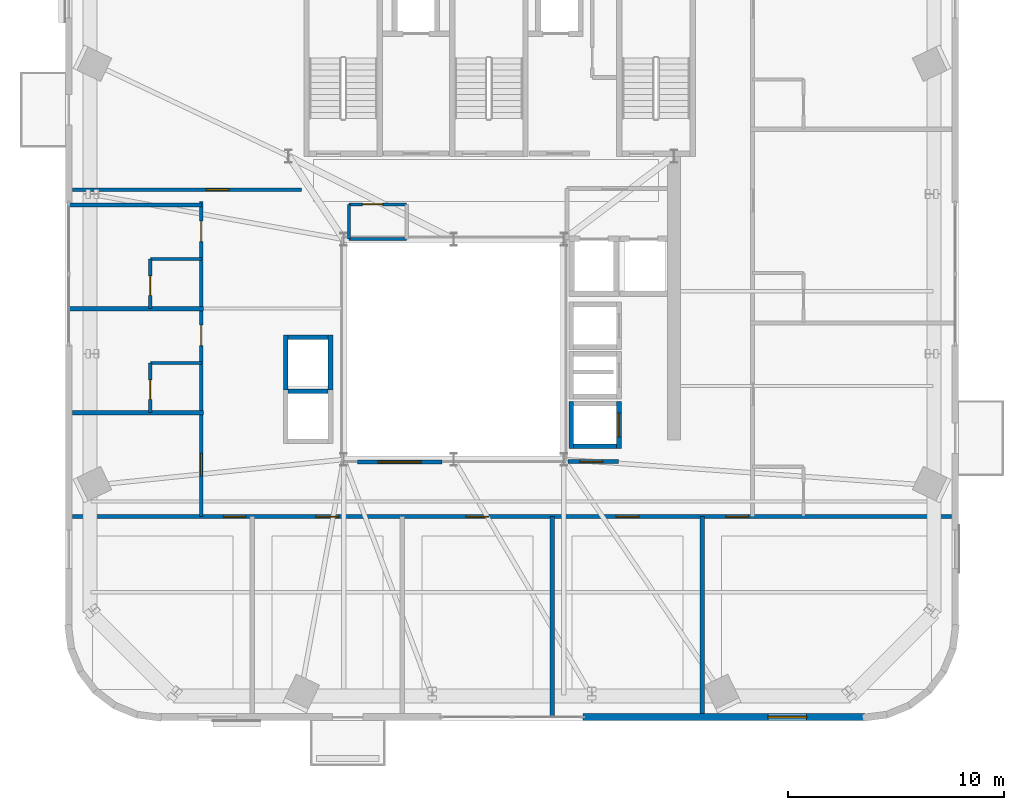
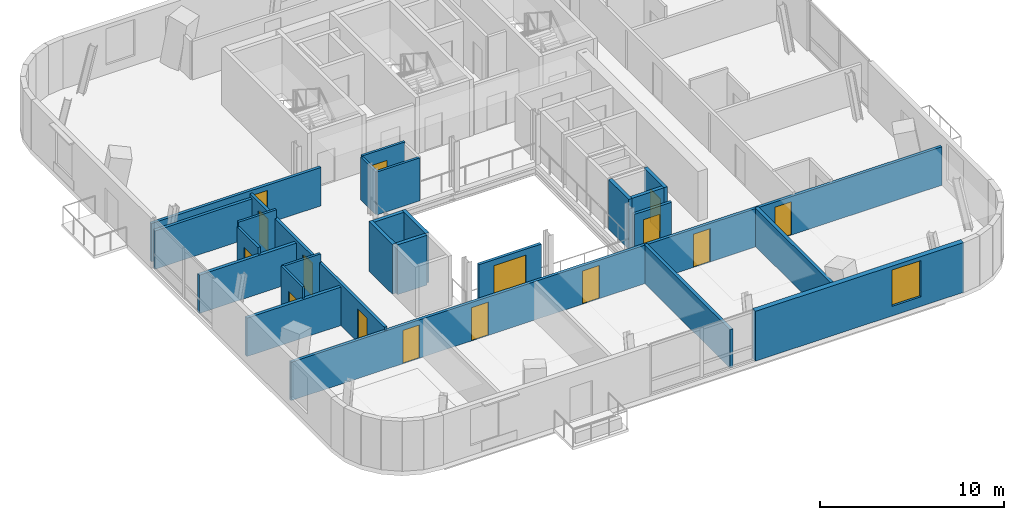
# One storey, part 6 of 13: 25 walls, 14 doors, 2 windows, 16 openings.
"""IFC4 building model written with IfcOpenShell, lengths in metres."""

from ifc_helpers import new_model, si_unit, direction, frame, frame_2d, origin, place, context, subcontext, project, spatial, rectangle, extrude, source, transform, mapped, material, layer, layer_set, type_object, element, fill, save


model = new_model("IFC4")

# Units and contexts
model_context = context("Model", 3, precision=1e-05, world=origin(), true_north=direction((0.0, 1.0)))
body_context = subcontext(model_context, "Body", "Model", "MODEL_VIEW")
ifc_project = project(units=[si_unit("LENGTHUNIT", "METRE"), si_unit("AREAUNIT", "SQUARE_METRE"), si_unit("VOLUMEUNIT", "CUBIC_METRE"), si_unit("PLANEANGLEUNIT", "RADIAN"), si_unit("MASSUNIT", "GRAM", prefix="KILO")], contexts=[model_context])

# Site, building, storey
site_placement = place(None, origin())
site = spatial("IfcSite", under=ifc_project, at=site_placement, CompositionType="ELEMENT")
building_placement = place(site_placement, origin())
building = spatial("IfcBuilding", under=site, at=building_placement, Name="Vardaveli Station Tower", CompositionType="ELEMENT")
storey_placement = place(building_placement, frame((0.0, 0.0, 274.300048828125)))
storey = spatial("IfcBuildingStorey", under=building, at=storey_placement, Name="L70", CompositionType="ELEMENT", Elevation=274.300048828125)

# Wall, opening, window
ifc_material_1 = material(Name="Precast concrete C45/55", Category="concrete")
ifc_layer_1 = layer(ifc_material_1, 0.320068359375, Name="Precast concrete C45/55")
ifc_layer_set_1 = layer_set([ifc_layer_1], Name="Precast concrete C45/55")
wall_type_1 = type_object("IfcWallType", Name="WAL-EXT-STONE-320", PredefinedType="SOLIDWALL", material=ifc_layer_set_1)
shared_shape_1 = source(origin(), body_context, "Body", "SweptSolid", [
    extrude(rectangle(XDim=13.052978515625, YDim=0.320068359375, at=frame_2d((6.5263671875, 0.0))), origin(), (0.0, 0.0, 1.0), 3.300048828125),
])
wall_1_placement = place(storey_placement, frame((42.300048828125, 4.659912109375, 0.0), z_axis=(0.0, 0.0, 1.0), x_axis=(1.0, 0.0, 0.0)))
wall_1 = element("IfcWall", 1, at=wall_1_placement, inside=storey, type_object=wall_type_1, Name="EW-L70-S2", PredefinedType="SOLIDWALL", context=body_context, shape_type="MappedRepresentation", body=[
    mapped(shared_shape_1, transform((0.0, 0.0, 0.0), scale=1.0)),
])
shared_shape_2 = source(origin(), body_context, "Body", "SweptSolid", [
    extrude(rectangle(XDim=1.800048828125, YDim=2.39990234375, at=frame_2d((0.89990234375, 1.199951171875))), frame((0.0, 0.169921875, 0.0), z_axis=(0.0, -1.0, 0.0), x_axis=(1.0, 0.0, 0.0)), (0.0, 0.0, 1.0), 0.340087890625),
])
opening_1_placement = place(wall_1_placement, frame((8.557373046875, 0.0, 0.639892578125)))
opening_1 = element("IfcOpeningElement", 2, at=opening_1_placement, cuts=wall_1, Name="Opening W-05", PredefinedType="OPENING", context=body_context, shape_type="MappedRepresentation", body=[
    mapped(shared_shape_2, transform((0.0, 0.0, 0.0), scale=1.0)),
])
ifc_material_2 = material(Name="Low-E solar-control glass", Category="glass")
window_type_1 = type_object("IfcWindowType", Name="WIN-HIGH-1800x2400", PartitioningType="SINGLE_PANEL", PredefinedType="WINDOW", material=ifc_material_2)
shared_shape_3 = source(origin(), body_context, "Body", "SweptSolid", [
    extrude(rectangle(XDim=1.800048828125, YDim=2.39990234375, at=frame_2d((0.89990234375, 1.199951171875))), frame((0.0, 0.030029296875, 0.0), z_axis=(0.0, -1.0, 0.0), x_axis=(1.0, 0.0, 0.0)), (0.0, 0.0, 1.0), 0.06005859375),
])
window_1_placement = place(opening_1_placement, origin())
window_1 = element("IfcWindow", 3, at=window_1_placement, inside=storey, type_object=window_type_1, Name="WN-L70-S2", OverallHeight=2.39990234375, OverallWidth=1.800048828125, PartitioningType="SINGLE_PANEL", PredefinedType="WINDOW", context=body_context, shape_type="MappedRepresentation", body=[
    mapped(shared_shape_3, transform((0.0, 0.0, 0.0), scale=1.0)),
])
fill(opening_1, window_1)

# Walls
ifc_material_3 = material(Name="Concrete C40/50", Category="concrete")
ifc_layer_2 = layer(ifc_material_3, 0.219970703125, Name="Concrete C40/50")
ifc_layer_set_2 = layer_set([ifc_layer_2], Name="Concrete C40/50")
wall_type_2 = type_object("IfcWallType", Name="WAL-FFLOBBY-220", PredefinedType="SOLIDWALL", material=ifc_layer_set_2)
shared_shape_4 = source(origin(), body_context, "Body", "SweptSolid", [
    extrude(rectangle(XDim=2.0, YDim=0.219970703125, at=frame_2d((1.0, 0.0))), origin(), (0.0, 0.0, 1.0), 3.300048828125),
])
wall_2_placement = place(storey_placement, frame((41.85009765625, 17.215087890625, 0.0), z_axis=(0.0, 0.0, 1.0), x_axis=(1.0, 0.0, 0.0)))
element("IfcWall", 4, at=wall_2_placement, inside=storey, type_object=wall_type_2, Name="SHW-HL3-03-L70-S", PredefinedType="SOLIDWALL", context=body_context, shape_type="MappedRepresentation", body=[
    mapped(shared_shape_4, transform((0.0, 0.0, 0.0), scale=1.0)),
])
shared_shape_5 = source(origin(), body_context, "Body", "SweptSolid", [
    extrude(rectangle(XDim=2.18994140625, YDim=0.219970703125, at=frame_2d((1.094970703125, 0.0))), origin(), (0.0, 0.0, 1.0), 3.300048828125),
])
wall_3_placement = place(storey_placement, frame((41.739990234375, 17.10498046875, 0.0), z_axis=(0.0, 0.0, 1.0), x_axis=(0.0, 1.0, 0.0)))
element("IfcWall", 5, at=wall_3_placement, inside=storey, type_object=wall_type_2, Name="SHW-HL3-03-L70-W", PredefinedType="SOLIDWALL", context=body_context, shape_type="MappedRepresentation", body=[
    mapped(shared_shape_5, transform((0.0, 0.0, 0.0), scale=1.0)),
])

# Wall, opening, door
wall_4_placement = place(storey_placement, frame((43.9599609375, 17.10498046875, 0.0), z_axis=(0.0, 0.0, 1.0), x_axis=(0.0, 1.0, 0.0)))
wall_4 = element("IfcWall", 6, at=wall_4_placement, inside=storey, type_object=wall_type_2, Name="SHW-HL3-03-L70-E", PredefinedType="SOLIDWALL", context=body_context, shape_type="MappedRepresentation", body=[
    mapped(shared_shape_5, transform((0.0, 0.0, 0.0), scale=1.0)),
])
shared_shape_6 = source(origin(), body_context, "Body", "SweptSolid", [
    extrude(rectangle(XDim=1.10009765625, YDim=2.199951171875, at=frame_2d((0.550048828125, 1.10009765625))), frame((0.0, 0.1201171875, 0.0), z_axis=(0.0, -1.0, 0.0), x_axis=(1.0, 0.0, 0.0)), (0.0, 0.0, 1.0), 0.239990234375),
])
opening_2_placement = place(wall_4_placement, frame((0.544921875, 0.0, 0.0)))
opening_2 = element("IfcOpeningElement", 7, at=opening_2_placement, cuts=wall_4, Name="Opening LD-01", PredefinedType="OPENING", context=body_context, shape_type="MappedRepresentation", body=[
    mapped(shared_shape_6, transform((0.0, 0.0, 0.0), scale=1.0)),
])
ifc_material_4 = material(Name="Brushed stainless steel", Category="steel")
door_type_1 = type_object("IfcDoorType", Name="DR-LD-1100x2200", OperationType="DOUBLE_DOOR_SLIDING", PredefinedType="DOOR", material=ifc_material_4)
shared_shape_7 = source(origin(), body_context, "Body", "SweptSolid", [
    extrude(rectangle(XDim=1.10009765625, YDim=2.199951171875, at=frame_2d((0.550048828125, 1.10009765625))), frame((0.0, 0.02490234375, 0.0), z_axis=(0.0, -1.0, 0.0), x_axis=(1.0, 0.0, 0.0)), (0.0, 0.0, 1.0), 0.050048828125),
])
door_1_placement = place(opening_2_placement, origin())
door_1 = element("IfcDoor", 8, at=door_1_placement, inside=storey, type_object=door_type_1, Name="LD-HL3-03-L70", OperationType="DOUBLE_DOOR_SLIDING", OverallHeight=2.199951171875, OverallWidth=1.10009765625, PredefinedType="DOOR", context=body_context, shape_type="MappedRepresentation", body=[
    mapped(shared_shape_7, transform((0.0, 0.0, 0.0), scale=1.0)),
])
fill(opening_2, door_1)

# Walls
shared_shape_8 = source(origin(), body_context, "Body", "SweptSolid", [
    extrude(rectangle(XDim=1.85009765625, YDim=0.219970703125, at=frame_2d((0.925048828125, 0.0))), origin(), (0.0, 0.0, 1.0), 3.300048828125),
])
for number, where, z_axis, x_axis, name in (
    (9, (28.625, 19.760009765625, 0.0), (0.0, 0.0, 1.0), (1.0, 0.0, 0.0), "SHW-OBS-01-L70-N"),
    (10, (28.625, 22.260009765625, 0.0), (0.0, 0.0, 1.0), (1.0, 0.0, 0.0), "SHW-OBS-02-L70-N"),
):
    element("IfcWall", number, at=place(storey_placement, frame(where, z_axis=z_axis, x_axis=x_axis)), inside=storey, type_object=wall_type_2, Name=name, PredefinedType="SOLIDWALL", context=body_context, shape_type="MappedRepresentation", body=[
        mapped(shared_shape_8, transform((0.0, 0.0, 0.0), scale=1.0)),
    ])
shared_shape_9 = source(origin(), body_context, "Body", "SweptSolid", [
    extrude(rectangle(XDim=2.5400390625, YDim=0.219970703125, at=frame_2d((1.27001953125, 0.0))), origin(), (0.0, 0.0, 1.0), 3.300048828125),
])
for number, where, z_axis, x_axis, name in (
    (11, (28.514892578125, 19.830078125, 0.0), (0.0, 0.0, 1.0), (0.0, 1.0, 0.0), "SHW-OBS-02-L70-W"),
    (12, (30.5849609375, 19.830078125, 0.0), (0.0, 0.0, 1.0), (0.0, 1.0, 0.0), "SHW-OBS-02-L70-E"),
):
    element("IfcWall", number, at=place(storey_placement, frame(where, z_axis=z_axis, x_axis=x_axis)), inside=storey, type_object=wall_type_2, Name=name, PredefinedType="SOLIDWALL", context=body_context, shape_type="MappedRepresentation", body=[
        mapped(shared_shape_9, transform((0.0, 0.0, 0.0), scale=1.0)),
    ])

# Wall, openings, doors
ifc_material_5 = material(Name="Fire-rated gypsum stud partition")
ifc_layer_3 = layer(ifc_material_5, 0.179931640625, Name="Fire-rated gypsum stud partition")
ifc_layer_set_3 = layer_set([ifc_layer_3], Name="Fire-rated gypsum stud partition")
wall_type_3 = type_object("IfcWallType", Name="WAL-CORR-180", PredefinedType="PARTITIONING", material=ifc_layer_set_3)
shared_shape_10 = source(origin(), body_context, "Body", "SweptSolid", [
    extrude(rectangle(XDim=40.755859375, YDim=0.179931640625, at=frame_2d((20.3779296875, 0.0))), origin(), (0.0, 0.0, 1.0), 2.5419921875),
])
wall_5_placement = place(storey_placement, frame((18.6220703125, 13.949951171875, 0.0), z_axis=(0.0, 0.0, 1.0), x_axis=(1.0, 0.0, 0.0)))
wall_5 = element("IfcWall", 13, at=wall_5_placement, inside=storey, type_object=wall_type_3, Name="W-L70-CS", PredefinedType="PARTITIONING", context=body_context, shape_type="MappedRepresentation", body=[
    mapped(shared_shape_10, transform((0.0, 0.0, 0.0), scale=1.0)),
])
shared_shape_11 = source(origin(), body_context, "Body", "SweptSolid", [
    extrude(rectangle(XDim=1.050048828125, YDim=2.199951171875, at=frame_2d((0.52490234375, 1.10009765625))), frame((0.0, 0.10009765625, 0.0), z_axis=(0.0, -1.0, 0.0), x_axis=(1.0, 0.0, 0.0)), (0.0, 0.0, 1.0), 0.199951171875),
])
opening_3_placement = place(wall_5_placement, frame((6.998046875, 0.0, 0.0)))
opening_3 = element("IfcOpeningElement", 14, at=opening_3_placement, cuts=wall_5, Name="Opening D-05", PredefinedType="OPENING", context=body_context, shape_type="MappedRepresentation", body=[
    mapped(shared_shape_11, transform((0.0, 0.0, 0.0), scale=1.0)),
])
opening_4_placement = place(wall_5_placement, frame((11.302978515625, 0.0, 0.0)))
opening_4 = element("IfcOpeningElement", 15, at=opening_4_placement, cuts=wall_5, Name="Opening D-05", PredefinedType="OPENING", context=body_context, shape_type="MappedRepresentation", body=[
    mapped(shared_shape_11, transform((0.0, 0.0, 0.0), scale=1.0)),
])
opening_5_placement = place(wall_5_placement, frame((18.2529296875, 0.0, 0.0)))
opening_5 = element("IfcOpeningElement", 16, at=opening_5_placement, cuts=wall_5, Name="Opening D-05", PredefinedType="OPENING", context=body_context, shape_type="MappedRepresentation", body=[
    mapped(shared_shape_11, transform((0.0, 0.0, 0.0), scale=1.0)),
])
opening_6_placement = place(wall_5_placement, frame((25.202880859375, 0.0, 0.0)))
opening_6 = element("IfcOpeningElement", 17, at=opening_6_placement, cuts=wall_5, Name="Opening D-05", PredefinedType="OPENING", context=body_context, shape_type="MappedRepresentation", body=[
    mapped(shared_shape_11, transform((0.0, 0.0, 0.0), scale=1.0)),
])
opening_7_placement = place(wall_5_placement, frame((30.298095703125, 0.0, 0.0)))
opening_7 = element("IfcOpeningElement", 18, at=opening_7_placement, cuts=wall_5, Name="Opening D-05", PredefinedType="OPENING", context=body_context, shape_type="MappedRepresentation", body=[
    mapped(shared_shape_11, transform((0.0, 0.0, 0.0), scale=1.0)),
])
ifc_material_6 = material(Name="Walnut veneer acoustic fire door")
door_type_2 = type_object("IfcDoorType", Name="DR-SUITE-1050x2200", OperationType="NOTDEFINED", PredefinedType="DOOR", material=ifc_material_6)
shared_shape_12 = source(origin(), body_context, "Body", "SweptSolid", [
    extrude(rectangle(XDim=1.050048828125, YDim=2.199951171875, at=frame_2d((0.52490234375, 1.10009765625))), frame((0.0, 0.02490234375, 0.0), z_axis=(0.0, -1.0, 0.0), x_axis=(1.0, 0.0, 0.0)), (0.0, 0.0, 1.0), 0.050048828125),
])
door_2_placement = place(opening_3_placement, origin())
door_2 = element("IfcDoor", 19, at=door_2_placement, inside=storey, type_object=door_type_2, Name="D-L70-SA1", OperationType="SINGLE_SWING_LEFT", OverallHeight=2.199951171875, OverallWidth=1.050048828125, PredefinedType="DOOR", context=body_context, shape_type="MappedRepresentation", body=[
    mapped(shared_shape_12, transform((0.0, 0.0, 0.0), scale=1.0)),
])
fill(opening_3, door_2)
door_3_placement = place(opening_4_placement, origin())
door_3 = element("IfcDoor", 20, at=door_3_placement, inside=storey, type_object=door_type_2, Name="D-L70-SA2", OperationType="SINGLE_SWING_RIGHT", OverallHeight=2.199951171875, OverallWidth=1.050048828125, PredefinedType="DOOR", context=body_context, shape_type="MappedRepresentation", body=[
    mapped(shared_shape_12, transform((0.0, 0.0, 0.0), scale=1.0)),
])
fill(opening_4, door_3)
door_4_placement = place(opening_5_placement, origin())
door_4 = element("IfcDoor", 21, at=door_4_placement, inside=storey, type_object=door_type_2, Name="D-L70-SA3", OperationType="SINGLE_SWING_LEFT", OverallHeight=2.199951171875, OverallWidth=1.050048828125, PredefinedType="DOOR", context=body_context, shape_type="MappedRepresentation", body=[
    mapped(shared_shape_12, transform((0.0, 0.0, 0.0), scale=1.0)),
])
fill(opening_5, door_4)
door_5_placement = place(opening_6_placement, origin())
door_5 = element("IfcDoor", 22, at=door_5_placement, inside=storey, type_object=door_type_2, Name="D-L70-SA4", OperationType="SINGLE_SWING_RIGHT", OverallHeight=2.199951171875, OverallWidth=1.050048828125, PredefinedType="DOOR", context=body_context, shape_type="MappedRepresentation", body=[
    mapped(shared_shape_12, transform((0.0, 0.0, 0.0), scale=1.0)),
])
fill(opening_6, door_5)
door_6_placement = place(opening_7_placement, origin())
door_6 = element("IfcDoor", 23, at=door_6_placement, inside=storey, type_object=door_type_2, Name="D-L70-SA5", OperationType="SINGLE_SWING_LEFT", OverallHeight=2.199951171875, OverallWidth=1.050048828125, PredefinedType="DOOR", context=body_context, shape_type="MappedRepresentation", body=[
    mapped(shared_shape_12, transform((0.0, 0.0, 0.0), scale=1.0)),
])
fill(opening_7, door_6)

shared_shape_13 = source(origin(), body_context, "Body", "SweptSolid", [
    extrude(rectangle(XDim=14.60009765625, YDim=0.179931640625, at=frame_2d((7.300048828125, 0.0))), origin(), (0.0, 0.0, 1.0), 2.741943359375),
])
wall_6_placement = place(storey_placement, frame((24.60009765625, 13.949951171875, 0.0), z_axis=(0.0, 0.0, 1.0), x_axis=(0.0, 1.0, 0.0)))
wall_6 = element("IfcWall", 24, at=wall_6_placement, inside=storey, type_object=wall_type_3, Name="W-L70-CW", PredefinedType="PARTITIONING", context=body_context, shape_type="MappedRepresentation", body=[
    mapped(shared_shape_13, transform((0.0, 0.0, 0.0), scale=1.0)),
])
opening_8_placement = place(wall_6_placement, frame((1.888427734375, 0.0, 0.0)))
opening_8 = element("IfcOpeningElement", 25, at=opening_8_placement, cuts=wall_6, Name="Opening D-05", PredefinedType="OPENING", context=body_context, shape_type="MappedRepresentation", body=[
    mapped(shared_shape_11, transform((0.0, 0.0, 0.0), scale=1.0)),
])
shared_shape_14 = source(origin(), body_context, "Body", "SweptSolid", [
    extrude(rectangle(XDim=0.949951171875, YDim=2.14990234375, at=frame_2d((0.47509765625, 1.074951171875))), frame((0.0, 0.10009765625, 0.0), z_axis=(0.0, -1.0, 0.0), x_axis=(1.0, 0.0, 0.0)), (0.0, 0.0, 1.0), 0.199951171875),
])
opening_9_placement = place(wall_6_placement, frame((7.929931640625, 0.0, 0.0)))
opening_9 = element("IfcOpeningElement", 26, at=opening_9_placement, cuts=wall_6, Name="Opening D-06", PredefinedType="OPENING", context=body_context, shape_type="MappedRepresentation", body=[
    mapped(shared_shape_14, transform((0.0, 0.0, 0.0), scale=1.0)),
])
opening_10_placement = place(wall_6_placement, frame((12.74658203125, 0.0, 0.0)))
opening_10 = element("IfcOpeningElement", 27, at=opening_10_placement, cuts=wall_6, Name="Opening D-06", PredefinedType="OPENING", context=body_context, shape_type="MappedRepresentation", body=[
    mapped(shared_shape_14, transform((0.0, 0.0, 0.0), scale=1.0)),
])
door_7_placement = place(opening_8_placement, origin())
door_7 = element("IfcDoor", 28, at=door_7_placement, inside=storey, type_object=door_type_2, Name="D-L70-GW1", OperationType="SINGLE_SWING_RIGHT", OverallHeight=2.199951171875, OverallWidth=1.050048828125, PredefinedType="DOOR", context=body_context, shape_type="MappedRepresentation", body=[
    mapped(shared_shape_12, transform((0.0, 0.0, 0.0), scale=1.0)),
])
fill(opening_8, door_7)
ifc_material_7 = material(Name="Oak veneer acoustic fire door")
door_type_3 = type_object("IfcDoorType", Name="DR-GUEST-950x2150", OperationType="NOTDEFINED", PredefinedType="DOOR", material=ifc_material_7)
shared_shape_15 = source(origin(), body_context, "Body", "SweptSolid", [
    extrude(rectangle(XDim=0.949951171875, YDim=2.14990234375, at=frame_2d((0.47509765625, 1.074951171875))), frame((0.0, 0.02490234375, 0.0), z_axis=(0.0, -1.0, 0.0), x_axis=(1.0, 0.0, 0.0)), (0.0, 0.0, 1.0), 0.050048828125),
])
door_8_placement = place(opening_9_placement, origin())
door_8 = element("IfcDoor", 29, at=door_8_placement, inside=storey, type_object=door_type_3, Name="D-L70-GW2", OperationType="SINGLE_SWING_LEFT", OverallHeight=2.14990234375, OverallWidth=0.949951171875, PredefinedType="DOOR", context=body_context, shape_type="MappedRepresentation", body=[
    mapped(shared_shape_15, transform((0.0, 0.0, 0.0), scale=1.0)),
])
fill(opening_9, door_8)
door_9_placement = place(opening_10_placement, origin())
door_9 = element("IfcDoor", 30, at=door_9_placement, inside=storey, type_object=door_type_3, Name="D-L70-GW3", OperationType="SINGLE_SWING_RIGHT", OverallHeight=2.14990234375, OverallWidth=0.949951171875, PredefinedType="DOOR", context=body_context, shape_type="MappedRepresentation", body=[
    mapped(shared_shape_15, transform((0.0, 0.0, 0.0), scale=1.0)),
])
fill(opening_10, door_9)

# Wall, opening, door
shared_shape_16 = source(origin(), body_context, "Body", "SweptSolid", [
    extrude(rectangle(XDim=10.6279296875, YDim=0.179931640625, at=frame_2d((5.31396484375, 0.0))), origin(), (0.0, 0.0, 1.0), 2.5419921875),
])
wall_7_placement = place(storey_placement, frame((18.6220703125, 29.10009765625, 0.0), z_axis=(0.0, 0.0, 1.0), x_axis=(1.0, 0.0, 0.0)))
wall_7 = element("IfcWall", 31, at=wall_7_placement, inside=storey, type_object=wall_type_3, Name="W-L70-CNWS", PredefinedType="PARTITIONING", context=body_context, shape_type="MappedRepresentation", body=[
    mapped(shared_shape_16, transform((0.0, 0.0, 0.0), scale=1.0)),
])
opening_11_placement = place(wall_7_placement, frame((6.218017578125, 0.0, 0.0)))
opening_11 = element("IfcOpeningElement", 32, at=opening_11_placement, cuts=wall_7, Name="Opening D-05", PredefinedType="OPENING", context=body_context, shape_type="MappedRepresentation", body=[
    mapped(shared_shape_11, transform((0.0, 0.0, 0.0), scale=1.0)),
])
door_10_placement = place(opening_11_placement, origin())
door_10 = element("IfcDoor", 33, at=door_10_placement, inside=storey, type_object=door_type_2, Name="D-L70-GNW1", OperationType="SINGLE_SWING_LEFT", OverallHeight=2.199951171875, OverallWidth=1.050048828125, PredefinedType="DOOR", context=body_context, shape_type="MappedRepresentation", body=[
    mapped(shared_shape_12, transform((0.0, 0.0, 0.0), scale=1.0)),
])
fill(opening_11, door_10)

ifc_material_8 = material(Name="Moisture-resistant stud partition")
ifc_layer_4 = layer(ifc_material_8, 0.14990234375, Name="Moisture-resistant stud partition")
ifc_layer_set_4 = layer_set([ifc_layer_4], Name="Moisture-resistant stud partition")
wall_type_4 = type_object("IfcWallType", Name="WAL-WET-150", PredefinedType="PARTITIONING", material=ifc_layer_set_4)
shared_shape_17 = source(origin(), body_context, "Body", "SweptSolid", [
    extrude(rectangle(XDim=2.670166015625, YDim=0.14990234375, at=frame_2d((1.3349609375, 0.0))), origin(), (0.0, 0.0, 1.0), 2.931884765625),
])
wall_8_placement = place(storey_placement, frame((31.449951171875, 28.419921875, 0.0), z_axis=(0.0, 0.0, 1.0), x_axis=(1.0, 0.0, 0.0)))
wall_8 = element("IfcWall", 34, at=wall_8_placement, inside=storey, type_object=wall_type_4, Name="W-L70-WCA1-N", PredefinedType="PARTITIONING", context=body_context, shape_type="MappedRepresentation", body=[
    mapped(shared_shape_17, transform((0.0, 0.0, 0.0), scale=1.0)),
])
shared_shape_18 = source(origin(), body_context, "Body", "SweptSolid", [
    extrude(rectangle(XDim=0.919921875, YDim=2.10009765625, at=frame_2d((0.4599609375, 1.050048828125))), frame((0.0, 0.0849609375, 0.0), z_axis=(0.0, -1.0, 0.0), x_axis=(1.0, 0.0, 0.0)), (0.0, 0.0, 1.0), 0.169921875),
])
opening_12_placement = place(wall_8_placement, frame((0.6298828125, 0.0, 0.0)))
opening_12 = element("IfcOpeningElement", 35, at=opening_12_placement, cuts=wall_8, Name="Opening D-07", PredefinedType="OPENING", context=body_context, shape_type="MappedRepresentation", body=[
    mapped(shared_shape_18, transform((0.0, 0.0, 0.0), scale=1.0)),
])
ifc_material_9 = material(Name="Moisture-resistant hardwood door", Category="wood")
door_type_4 = type_object("IfcDoorType", Name="DR-WC-920x2100", OperationType="NOTDEFINED", PredefinedType="DOOR", material=ifc_material_9)
shared_shape_19 = source(origin(), body_context, "Body", "SweptSolid", [
    extrude(rectangle(XDim=0.919921875, YDim=2.10009765625, at=frame_2d((0.4599609375, 1.050048828125))), frame((0.0, 0.02490234375, 0.0), z_axis=(0.0, -1.0, 0.0), x_axis=(1.0, 0.0, 0.0)), (0.0, 0.0, 1.0), 0.050048828125),
])
door_11_placement = place(opening_12_placement, origin())
door_11 = element("IfcDoor", 36, at=door_11_placement, inside=storey, type_object=door_type_4, Name="D-L70-WCA", OperationType="SINGLE_SWING_RIGHT", OverallHeight=2.10009765625, OverallWidth=0.919921875, PredefinedType="DOOR", context=body_context, shape_type="MappedRepresentation", body=[
    mapped(shared_shape_19, transform((0.0, 0.0, 0.0), scale=1.0)),
])
fill(opening_12, door_11)

shared_shape_20 = source(origin(), body_context, "Body", "SweptSolid", [
    extrude(rectangle(XDim=2.329833984375, YDim=0.179931640625, at=frame_2d((1.1650390625, 0.0))), origin(), (0.0, 0.0, 1.0), 2.741943359375),
])
wall_9_placement = place(storey_placement, frame((41.60009765625, 16.5, 0.0), z_axis=(0.0, 0.0, 1.0), x_axis=(1.0, 0.0, 0.0)))
wall_9 = element("IfcWall", 37, at=wall_9_placement, inside=storey, type_object=wall_type_3, Name="W-L70-ATE-S", PredefinedType="PARTITIONING", context=body_context, shape_type="MappedRepresentation", body=[
    mapped(shared_shape_20, transform((0.0, 0.0, 0.0), scale=1.0)),
])
opening_13_placement = place(wall_9_placement, frame((0.550048828125, 0.0, 0.0)))
opening_13 = element("IfcOpeningElement", 38, at=opening_13_placement, cuts=wall_9, Name="Opening D-05", PredefinedType="OPENING", context=body_context, shape_type="MappedRepresentation", body=[
    mapped(shared_shape_11, transform((0.0, 0.0, 0.0), scale=1.0)),
])
door_12_placement = place(opening_13_placement, origin())
door_12 = element("IfcDoor", 39, at=door_12_placement, inside=storey, type_object=door_type_2, Name="D-L70-ATE1", OperationType="SINGLE_SWING_RIGHT", OverallHeight=2.199951171875, OverallWidth=1.050048828125, PredefinedType="DOOR", context=body_context, shape_type="MappedRepresentation", body=[
    mapped(shared_shape_12, transform((0.0, 0.0, 0.0), scale=1.0)),
])
fill(opening_13, door_12)

shared_shape_21 = source(origin(), body_context, "Body", "SweptSolid", [
    extrude(rectangle(XDim=2.289794921875, YDim=0.14990234375, at=frame_2d((1.14501953125, 0.0))), origin(), (0.0, 0.0, 1.0), 3.300048828125),
])
wall_10_placement = place(storey_placement, frame((22.239990234375, 18.787109375, 0.0), z_axis=(0.0, 0.0, 1.0), x_axis=(0.0, 1.0, 0.0)))
wall_10 = element("IfcWall", 40, at=wall_10_placement, inside=storey, type_object=wall_type_4, Name="W-L70-BW2-W", PredefinedType="PARTITIONING", context=body_context, shape_type="MappedRepresentation", body=[
    mapped(shared_shape_21, transform((0.0, 0.0, 0.0), scale=1.0)),
])
shared_shape_22 = source(origin(), body_context, "Body", "SweptSolid", [
    extrude(rectangle(XDim=0.89990234375, YDim=2.10009765625, at=frame_2d((0.449951171875, 1.050048828125))), frame((0.0, 0.0849609375, 0.0), z_axis=(0.0, -1.0, 0.0), x_axis=(1.0, 0.0, 0.0)), (0.0, 0.0, 1.0), 0.169921875),
])
opening_14_placement = place(wall_10_placement, frame((0.60009765625, 0.0, 0.0)))
opening_14 = element("IfcOpeningElement", 41, at=opening_14_placement, cuts=wall_10, Name="Opening D-08", PredefinedType="OPENING", context=body_context, shape_type="MappedRepresentation", body=[
    mapped(shared_shape_22, transform((0.0, 0.0, 0.0), scale=1.0)),
])
ifc_material_10 = material(Name="Moisture-resistant oak door")
door_type_5 = type_object("IfcDoorType", Name="DR-BATH-900x2100", OperationType="NOTDEFINED", PredefinedType="DOOR", material=ifc_material_10)
shared_shape_23 = source(origin(), body_context, "Body", "SweptSolid", [
    extrude(rectangle(XDim=0.89990234375, YDim=2.10009765625, at=frame_2d((0.449951171875, 1.050048828125))), frame((0.0, 0.02490234375, 0.0), z_axis=(0.0, -1.0, 0.0), x_axis=(1.0, 0.0, 0.0)), (0.0, 0.0, 1.0), 0.050048828125),
])
door_13_placement = place(opening_14_placement, origin())
door_13 = element("IfcDoor", 42, at=door_13_placement, inside=storey, type_object=door_type_5, Name="D-L70-BW2", OperationType="SINGLE_SWING_RIGHT", OverallHeight=2.10009765625, OverallWidth=0.89990234375, PredefinedType="DOOR", context=body_context, shape_type="MappedRepresentation", body=[
    mapped(shared_shape_23, transform((0.0, 0.0, 0.0), scale=1.0)),
])
fill(opening_14, door_13)

shared_shape_24 = source(origin(), body_context, "Body", "SweptSolid", [
    extrude(rectangle(XDim=2.2900390625, YDim=0.14990234375, at=frame_2d((1.14501953125, 0.0))), origin(), (0.0, 0.0, 1.0), 2.991943359375),
])
wall_11_placement = place(storey_placement, frame((22.239990234375, 23.60302734375, 0.0), z_axis=(0.0, 0.0, 1.0), x_axis=(0.0, 1.0, 0.0)))
wall_11 = element("IfcWall", 43, at=wall_11_placement, inside=storey, type_object=wall_type_4, Name="W-L70-BW3-W", PredefinedType="PARTITIONING", context=body_context, shape_type="MappedRepresentation", body=[
    mapped(shared_shape_24, transform((0.0, 0.0, 0.0), scale=1.0)),
])
opening_15_placement = place(wall_11_placement, frame((0.60009765625, 0.0, 0.0)))
opening_15 = element("IfcOpeningElement", 44, at=opening_15_placement, cuts=wall_11, Name="Opening D-08", PredefinedType="OPENING", context=body_context, shape_type="MappedRepresentation", body=[
    mapped(shared_shape_22, transform((0.0, 0.0, 0.0), scale=1.0)),
])
door_14_placement = place(opening_15_placement, origin())
door_14 = element("IfcDoor", 45, at=door_14_placement, inside=storey, type_object=door_type_5, Name="D-L70-BW3", OperationType="SINGLE_SWING_LEFT", OverallHeight=2.10009765625, OverallWidth=0.89990234375, PredefinedType="DOOR", context=body_context, shape_type="MappedRepresentation", body=[
    mapped(shared_shape_23, transform((0.0, 0.0, 0.0), scale=1.0)),
])
fill(opening_15, door_14)

# Walls
ifc_material_11 = material(Name="Acoustic twin-stud gypsum partition")
ifc_layer_5 = layer(ifc_material_11, 0.199951171875, Name="Acoustic twin-stud gypsum partition")
ifc_layer_set_5 = layer_set([ifc_layer_5], Name="Acoustic twin-stud gypsum partition")
wall_type_5 = type_object("IfcWallType", Name="WAL-PARTY-200", PredefinedType="PARTITIONING", material=ifc_layer_set_5)
shared_shape_25 = source(origin(), body_context, "Body", "SweptSolid", [
    extrude(rectangle(XDim=9.1279296875, YDim=0.199951171875, at=frame_2d((4.56396484375, 0.0))), origin(), (0.0, 0.0, 1.0), 2.5419921875),
])
wall_12_placement = place(storey_placement, frame((47.820068359375, 4.822021484375, 0.0), z_axis=(0.0, 0.0, 1.0), x_axis=(0.0, 1.0, 0.0)))
element("IfcWall", 46, at=wall_12_placement, inside=storey, type_object=wall_type_5, Name="W-L70-PS4", PredefinedType="PARTITIONING", context=body_context, shape_type="MappedRepresentation", body=[
    mapped(shared_shape_25, transform((0.0, 0.0, 0.0), scale=1.0)),
])
shared_shape_26 = source(origin(), body_context, "Body", "SweptSolid", [
    extrude(rectangle(XDim=9.320068359375, YDim=0.199951171875, at=frame_2d((4.66015625, 0.0))), origin(), (0.0, 0.0, 1.0), 2.5419921875),
])
wall_13_placement = place(storey_placement, frame((40.8701171875, 4.6298828125, 0.0), z_axis=(0.0, 0.0, 1.0), x_axis=(0.0, 1.0, 0.0)))
element("IfcWall", 47, at=wall_13_placement, inside=storey, type_object=wall_type_5, Name="W-L70-PS3", PredefinedType="PARTITIONING", context=body_context, shape_type="MappedRepresentation", body=[
    mapped(shared_shape_26, transform((0.0, 0.0, 0.0), scale=1.0)),
])
shared_shape_27 = source(origin(), body_context, "Body", "SweptSolid", [
    extrude(rectangle(XDim=6.077880859375, YDim=0.199951171875, at=frame_2d((3.0390625, 0.0))), origin(), (0.0, 0.0, 1.0), 2.5419921875),
])
wall_14_placement = place(storey_placement, frame((18.6220703125, 18.76708984375, 0.0), z_axis=(0.0, 0.0, 1.0), x_axis=(1.0, 0.0, 0.0)))
element("IfcWall", 48, at=wall_14_placement, inside=storey, type_object=wall_type_5, Name="W-L70-PW1", PredefinedType="PARTITIONING", context=body_context, shape_type="MappedRepresentation", body=[
    mapped(shared_shape_27, transform((0.0, 0.0, 0.0), scale=1.0)),
])
shared_shape_28 = source(origin(), body_context, "Body", "SweptSolid", [
    extrude(rectangle(XDim=6.27001953125, YDim=0.199951171875, at=frame_2d((3.135009765625, 0.0))), origin(), (0.0, 0.0, 1.0), 2.5419921875),
])
wall_15_placement = place(storey_placement, frame((18.429931640625, 23.5830078125, 0.0), z_axis=(0.0, 0.0, 1.0), x_axis=(1.0, 0.0, 0.0)))
element("IfcWall", 49, at=wall_15_placement, inside=storey, type_object=wall_type_5, Name="W-L70-PW2", PredefinedType="PARTITIONING", context=body_context, shape_type="MappedRepresentation", body=[
    mapped(shared_shape_28, transform((0.0, 0.0, 0.0), scale=1.0)),
])
shared_shape_29 = source(origin(), body_context, "Body", "SweptSolid", [
    extrude(rectangle(XDim=6.170166015625, YDim=0.179931640625, at=frame_2d((3.0849609375, 0.0))), origin(), (0.0, 0.0, 1.0), 2.5419921875),
])
wall_16_placement = place(storey_placement, frame((18.429931640625, 28.39990234375, 0.0), z_axis=(0.0, 0.0, 1.0), x_axis=(1.0, 0.0, 0.0)))
element("IfcWall", 50, at=wall_16_placement, inside=storey, type_object=wall_type_3, Name="W-L70-CWN", PredefinedType="PARTITIONING", context=body_context, shape_type="MappedRepresentation", body=[
    mapped(shared_shape_29, transform((0.0, 0.0, 0.0), scale=1.0)),
])
shared_shape_30 = source(origin(), body_context, "Body", "SweptSolid", [
    extrude(rectangle(XDim=2.670166015625, YDim=0.14990234375, at=frame_2d((1.3349609375, 0.0))), origin(), (0.0, 0.0, 1.0), 2.842041015625),
])
wall_17_placement = place(storey_placement, frame((31.449951171875, 26.820068359375, 0.0), z_axis=(0.0, 0.0, 1.0), x_axis=(1.0, 0.0, 0.0)))
element("IfcWall", 51, at=wall_17_placement, inside=storey, type_object=wall_type_4, Name="W-L70-WCA1-S", PredefinedType="PARTITIONING", context=body_context, shape_type="MappedRepresentation", body=[
    mapped(shared_shape_30, transform((0.0, 0.0, 0.0), scale=1.0)),
])
shared_shape_31 = source(origin(), body_context, "Body", "SweptSolid", [
    extrude(rectangle(XDim=2.360107421875, YDim=0.14990234375, at=frame_2d((1.18017578125, 0.0))), origin(), (0.0, 0.0, 1.0), 3.300048828125),
])
for number, where, z_axis, x_axis, name in (
    (52, (22.239990234375, 21.076904296875, 0.0), (0.0, 0.0, 1.0), (1.0, 0.0, 0.0), "W-L70-BW2-N"),
    (53, (22.239990234375, 25.89306640625, 0.0), (0.0, 0.0, 1.0), (1.0, 0.0, 0.0), "W-L70-BW3-N"),
):
    element("IfcWall", number, at=place(storey_placement, frame(where, z_axis=z_axis, x_axis=x_axis)), inside=storey, type_object=wall_type_4, Name=name, PredefinedType="PARTITIONING", context=body_context, shape_type="MappedRepresentation", body=[
        mapped(shared_shape_31, transform((0.0, 0.0, 0.0), scale=1.0)),
    ])
shared_shape_32 = source(origin(), body_context, "Body", "SweptSolid", [
    extrude(rectangle(XDim=1.599853515625, YDim=0.14990234375, at=frame_2d((0.7998046875, 0.0))), origin(), (0.0, 0.0, 1.0), 2.842041015625),
])
wall_18_placement = place(storey_placement, frame((31.449951171875, 26.820068359375, 0.0), z_axis=(0.0, 0.0, 1.0), x_axis=(0.0, 1.0, 0.0)))
element("IfcWall", 54, at=wall_18_placement, inside=storey, type_object=wall_type_4, Name="W-L70-WCA1-W", PredefinedType="PARTITIONING", context=body_context, shape_type="MappedRepresentation", body=[
    mapped(shared_shape_32, transform((0.0, 0.0, 0.0), scale=1.0)),
])

# Wall, opening, window
shared_shape_33 = source(origin(), body_context, "Body", "SweptSolid", [
    extrude(rectangle(XDim=3.89990234375, YDim=0.179931640625, at=frame_2d((1.949951171875, 0.0))), origin(), (0.0, 0.0, 1.0), 2.842041015625),
])
wall_19_placement = place(storey_placement, frame((31.85009765625, 16.47998046875, 0.0), z_axis=(0.0, 0.0, 1.0), x_axis=(1.0, 0.0, 0.0)))
wall_19 = element("IfcWall", 55, at=wall_19_placement, inside=storey, type_object=wall_type_3, Name="WAT-L70-S", PredefinedType="PARTITIONING", context=body_context, shape_type="MappedRepresentation", body=[
    mapped(shared_shape_33, transform((0.0, 0.0, 0.0), scale=1.0)),
])
shared_shape_34 = source(origin(), body_context, "Body", "SweptSolid", [
    extrude(rectangle(XDim=2.0, YDim=1.89990234375, at=frame_2d((1.0, 0.949951171875))), frame((0.0, 0.10009765625, 0.0), z_axis=(0.0, -1.0, 0.0), x_axis=(1.0, 0.0, 0.0)), (0.0, 0.0, 1.0), 0.199951171875),
])
opening_16_placement = place(wall_19_placement, frame((0.949951171875, 0.0, 0.550048828125)))
opening_16 = element("IfcOpeningElement", 56, at=opening_16_placement, cuts=wall_19, Name="Opening W-07", PredefinedType="OPENING", context=body_context, shape_type="MappedRepresentation", body=[
    mapped(shared_shape_34, transform((0.0, 0.0, 0.0), scale=1.0)),
])
ifc_material_12 = material(Name="Tempered EI 60 fire-rated glass", Category="glass")
window_type_2 = type_object("IfcWindowType", Name="WIN-ATRIUM-2000x2400", PartitioningType="SINGLE_PANEL", PredefinedType="WINDOW", material=ifc_material_12)
shared_shape_35 = source(origin(), body_context, "Body", "SweptSolid", [
    extrude(rectangle(XDim=2.0, YDim=1.89990234375, at=frame_2d((1.0, 0.949951171875))), frame((0.0, 0.030029296875, 0.0), z_axis=(0.0, -1.0, 0.0), x_axis=(1.0, 0.0, 0.0)), (0.0, 0.0, 1.0), 0.06005859375),
])
window_2_placement = place(opening_16_placement, origin())
window_2 = element("IfcWindow", 57, at=window_2_placement, inside=storey, type_object=window_type_2, Name="WNAT-L70-1", OverallHeight=1.89990234375, OverallWidth=2.0, PartitioningType="SINGLE_PANEL", PredefinedType="WINDOW", context=body_context, shape_type="MappedRepresentation", body=[
    mapped(shared_shape_35, transform((0.0, 0.0, 0.0), scale=1.0)),
])
fill(opening_16, window_2)

save(model, "model.ifc")
